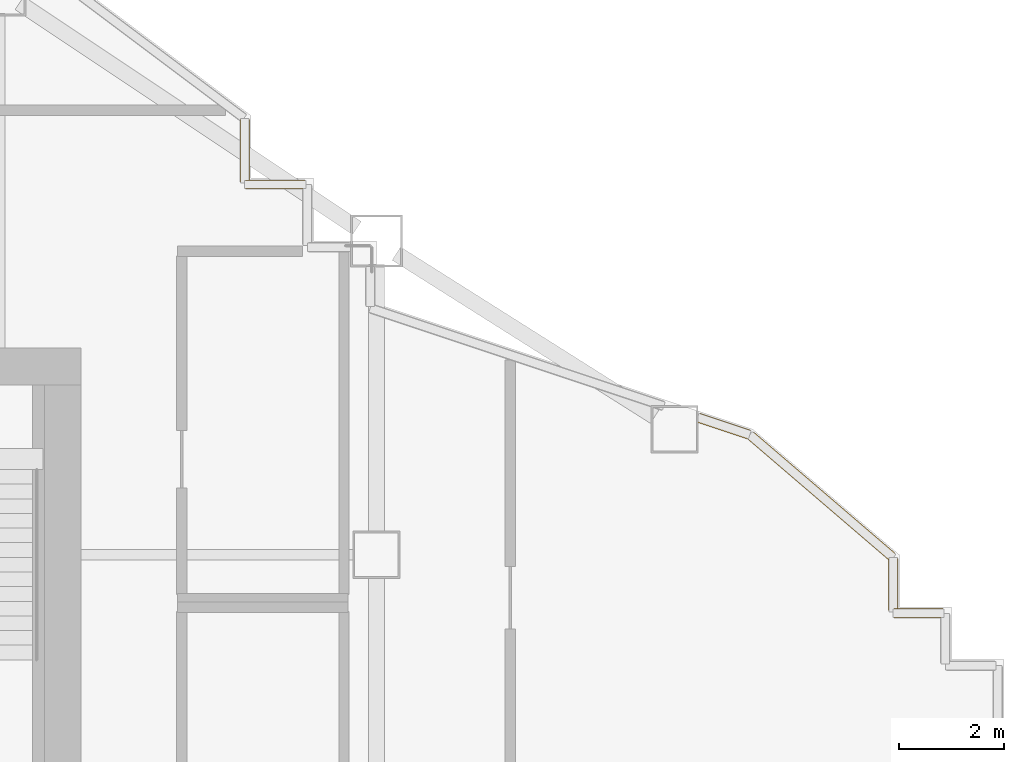
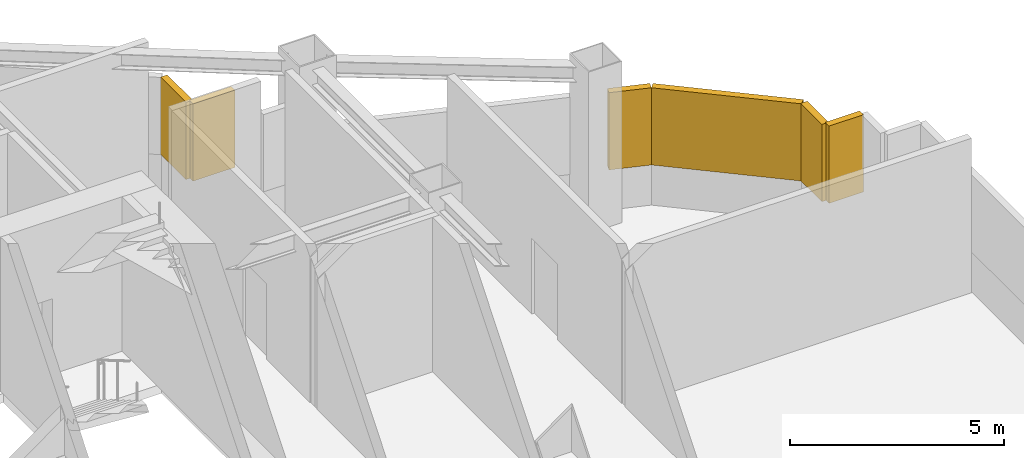
# One storey, part 12 of 12: 6 shading devices.
"""IFC4 building model written with IfcOpenShell, lengths in metres."""

from ifc_helpers import new_model, si_unit, direction, frame, origin, origin_2d, place, context, subcontext, project, spatial, rectangle, extrude, material, type_object, element, save


model = new_model("IFC4")

# Units and contexts
model_context = context("Model", 3, precision=1e-05, world=origin(), true_north=direction((0.0, 1.0)))
body_context = subcontext(model_context, "Body", "Model", "MODEL_VIEW")
ifc_project = project(units=[si_unit("LENGTHUNIT", "METRE"), si_unit("AREAUNIT", "SQUARE_METRE"), si_unit("VOLUMEUNIT", "CUBIC_METRE"), si_unit("PLANEANGLEUNIT", "RADIAN"), si_unit("MASSUNIT", "GRAM", prefix="KILO")], contexts=[model_context])

# Site, building, storey
site_placement = place(None, origin())
site = spatial("IfcSite", under=ifc_project, at=site_placement, CompositionType="ELEMENT")
building_placement = place(site_placement, origin())
building = spatial("IfcBuilding", under=site, at=building_placement, Name="Haolan Belvedere Tower", CompositionType="ELEMENT")
storey_placement = place(building_placement, frame((0.0, 0.0, 136.39990234375)))
storey = spatial("IfcBuildingStorey", under=building, at=storey_placement, Name="L34", CompositionType="ELEMENT", Elevation=136.39990234375)

# Shading devices
ifc_material = material(Name="Anodised champagne-silver aluminium 6063-T6", Category="aluminium")
shading_device_type = type_object("IfcShadingDeviceType", Name="SHD-LOUV-180", PredefinedType="JALOUSIE", material=ifc_material)
shading_device_1_placement = place(storey_placement, frame((63.1650390625, 38.47998046875, 1.14990234375), z_axis=(0.0, 0.0, 1.0), x_axis=(-1.0, 0.0, 0.0)))
element("IfcShadingDevice", 1, at=shading_device_1_placement, inside=storey, type_object=shading_device_type, Name="L34 refuge storm-proof louvre bank 17.1", PredefinedType="JALOUSIE", context=body_context, shape_type="SweptSolid", body=[
    extrude(rectangle(XDim=0.929931640625, YDim=0.179931640625, at=origin_2d()), origin(), (0.0, 0.0, 1.0), 2.199951171875),
])
shading_device_2_placement = place(storey_placement, frame((62.679931640625, 39.02734375, 1.14990234375), z_axis=(0.0, 0.0, 1.0), x_axis=(0.0, 1.0, 0.0)))
element("IfcShadingDevice", 2, at=shading_device_2_placement, inside=storey, type_object=shading_device_type, Name="L34 refuge storm-proof louvre bank 18.1", PredefinedType="JALOUSIE", context=body_context, shape_type="SweptSolid", body=[
    extrude(rectangle(XDim=0.994873046875, YDim=0.179931640625, at=origin_2d()), origin(), (0.0, 0.0, 1.0), 2.199951171875),
])
shading_device_3_placement = place(storey_placement, frame((61.309814453125, 40.71923828125, 1.14990234375), z_axis=(0.0, 0.0, 1.0), x_axis=(-0.759248590567, 0.650800720438, 0.0)))
element("IfcShadingDevice", 3, at=shading_device_3_placement, inside=storey, type_object=shading_device_type, Name="L34 refuge storm-proof louvre bank 19.1", PredefinedType="JALOUSIE", context=body_context, shape_type="SweptSolid", body=[
    extrude(rectangle(XDim=3.569091796875, YDim=0.179931640625, at=origin_2d()), origin(), (0.0, 0.0, 1.0), 2.199951171875),
])
shading_device_4_placement = place(storey_placement, frame((59.44091796875, 42.059814453125, 1.14990234375), z_axis=(0.0, 0.0, 1.0), x_axis=(-0.948683015593, 0.316228613389, 0.0)))
element("IfcShadingDevice", 4, at=shading_device_4_placement, inside=storey, type_object=shading_device_type, Name="L34 refuge storm-proof louvre bank 20.1", PredefinedType="JALOUSIE", context=body_context, shape_type="SweptSolid", body=[
    extrude(rectangle(XDim=1.01171875, YDim=0.179931640625, at=origin_2d()), origin(), (0.0, 0.0, 1.0), 2.199951171875),
])
shading_device_5_placement = place(storey_placement, frame((50.864990234375, 46.679931640625, 1.14990234375), z_axis=(0.0, 0.0, 1.0), x_axis=(-1.0, 0.0, 0.0)))
element("IfcShadingDevice", 5, at=shading_device_5_placement, inside=storey, type_object=shading_device_type, Name="L34 refuge storm-proof louvre bank 24.1", PredefinedType="JALOUSIE", context=body_context, shape_type="SweptSolid", body=[
    extrude(rectangle(XDim=1.1298828125, YDim=0.179931640625, at=origin_2d()), origin(), (0.0, 0.0, 1.0), 2.199951171875),
])
shading_device_6_placement = place(storey_placement, frame((50.280029296875, 47.324951171875, 1.14990234375), z_axis=(0.0, 0.0, 1.0), x_axis=(0.0, 1.0, 0.0)))
element("IfcShadingDevice", 6, at=shading_device_6_placement, inside=storey, type_object=shading_device_type, Name="L34 refuge storm-proof louvre bank 25.1", PredefinedType="JALOUSIE", context=body_context, shape_type="SweptSolid", body=[
    extrude(rectangle(XDim=1.18994140625, YDim=0.179931640625, at=origin_2d()), origin(), (0.0, 0.0, 1.0), 2.199951171875),
])

save(model, "model.ifc")
